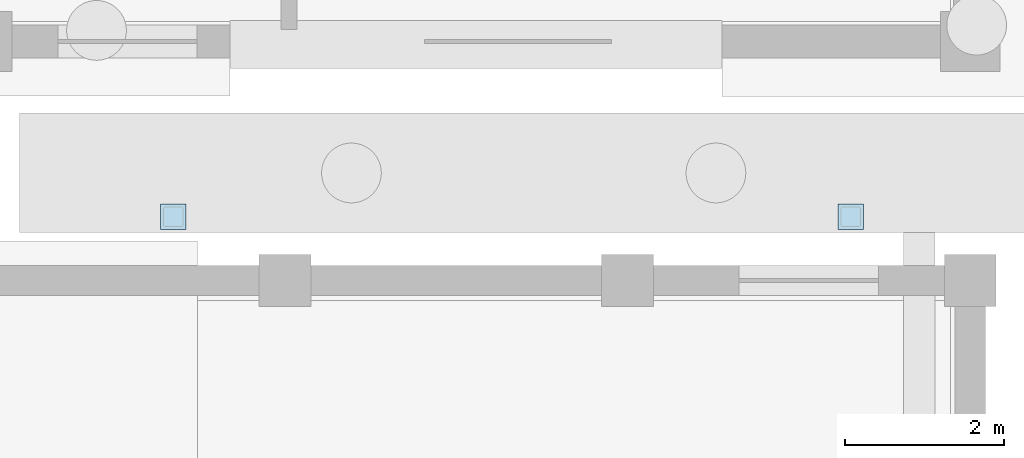
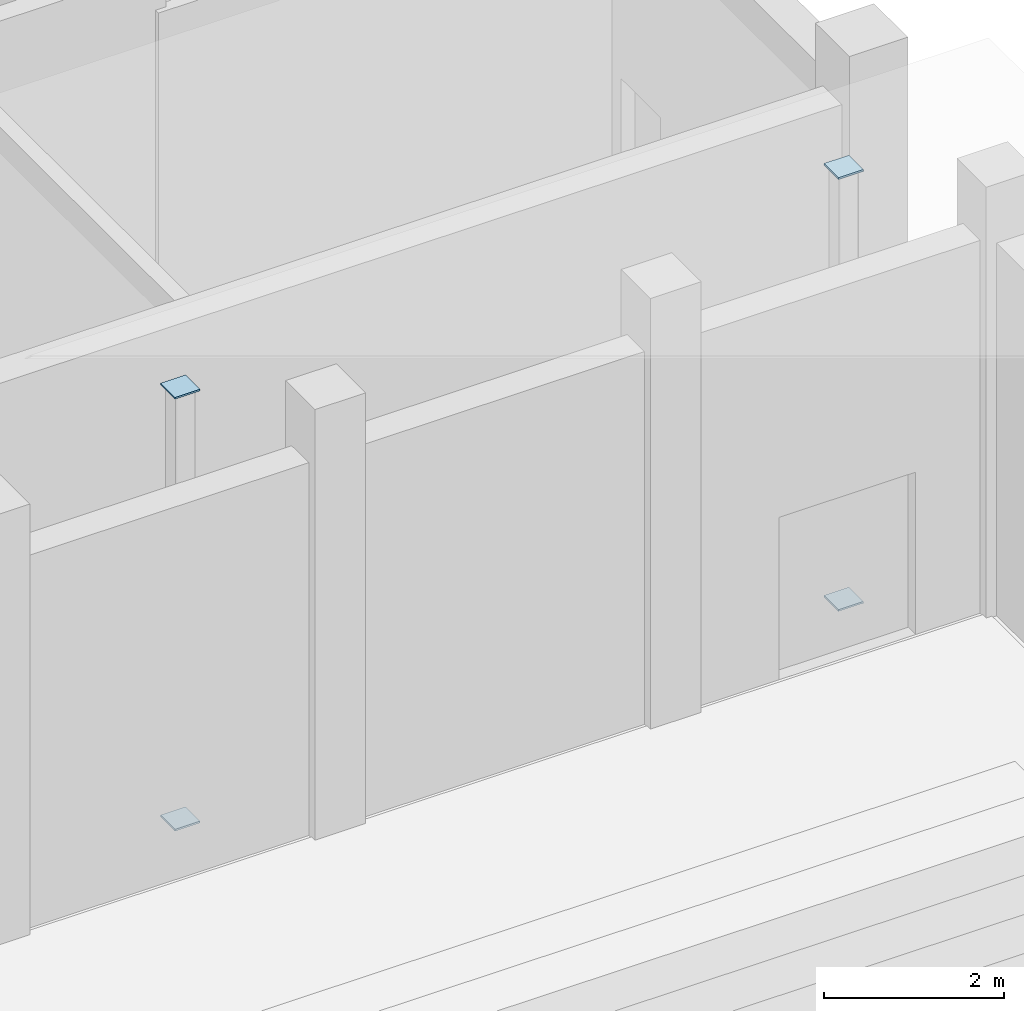
# One storey, part 33 of 60: 4 plates.
"""IFC4 building model written with IfcOpenShell, lengths in metres."""

from ifc_helpers import new_model, si_unit, direction, frame, origin, origin_2d, place, context, subcontext, project, spatial, rectangle, extrude, material, layer, layer_set, type_object, element, save


model = new_model("IFC4")

# Units and contexts
model_context = context("Model", 3, precision=1e-05, world=origin(), true_north=direction((0.0, 1.0)))
body_context = subcontext(model_context, "Body", "Model", "MODEL_VIEW")
ifc_project = project(units=[si_unit("LENGTHUNIT", "METRE"), si_unit("AREAUNIT", "SQUARE_METRE"), si_unit("VOLUMEUNIT", "CUBIC_METRE"), si_unit("PLANEANGLEUNIT", "RADIAN"), si_unit("MASSUNIT", "GRAM", prefix="KILO")], contexts=[model_context])

# Site, building, storey
site_placement = place(None, origin())
site = spatial("IfcSite", under=ifc_project, at=site_placement, CompositionType="ELEMENT")
building_placement = place(site_placement, origin())
building = spatial("IfcBuilding", under=site, at=building_placement, Name="Trellovar Central Fire Station", CompositionType="ELEMENT")
storey_placement = place(building_placement, origin())
storey = spatial("IfcBuildingStorey", under=building, at=storey_placement, Name="L01", CompositionType="ELEMENT", Elevation=0.0)

# Plates
ifc_material = material(Name="Steel ASTM A36", Category="steel")
ifc_layer = layer(ifc_material, 0.02392578125)
ifc_layer_set = layer_set([ifc_layer], Name="Steel ASTM A36")
plate_type = type_object("IfcPlateType", Name="PLT-EP1", PredefinedType="SHEET", material=ifc_layer_set)
for number, where, z_axis, x_axis, name in (
    (1, (151.0, 56.800048828125, -0.011962890625), (0.0, 0.0, 1.0), (1.0, 0.0, 0.0), "HSS end-cap plate 95"),
    (2, (151.0, 56.800048828125, 5.838134765625), (0.0, 0.0, 1.0), (1.0, 0.0, 0.0), "HSS end-cap plate 96"),
    (3, (159.5, 56.800048828125, -0.011962890625), (0.0, 0.0, 1.0), (1.0, 0.0, 0.0), "HSS end-cap plate 97"),
    (4, (159.5, 56.800048828125, 5.838134765625), (0.0, 0.0, 1.0), (1.0, 0.0, 0.0), "HSS end-cap plate 98"),
):
    element("IfcPlate", number, at=place(storey_placement, frame(where, z_axis=z_axis, x_axis=x_axis)), inside=storey, type_object=plate_type, Name=name, PredefinedType="SHEET", context=body_context, shape_type="SweptSolid", body=[
        extrude(rectangle(XDim=0.320068359375, YDim=0.320068359375, at=origin_2d()), origin(), (0.0, 0.0, 1.0), 0.02392578125),
    ])

save(model, "model.ifc")
